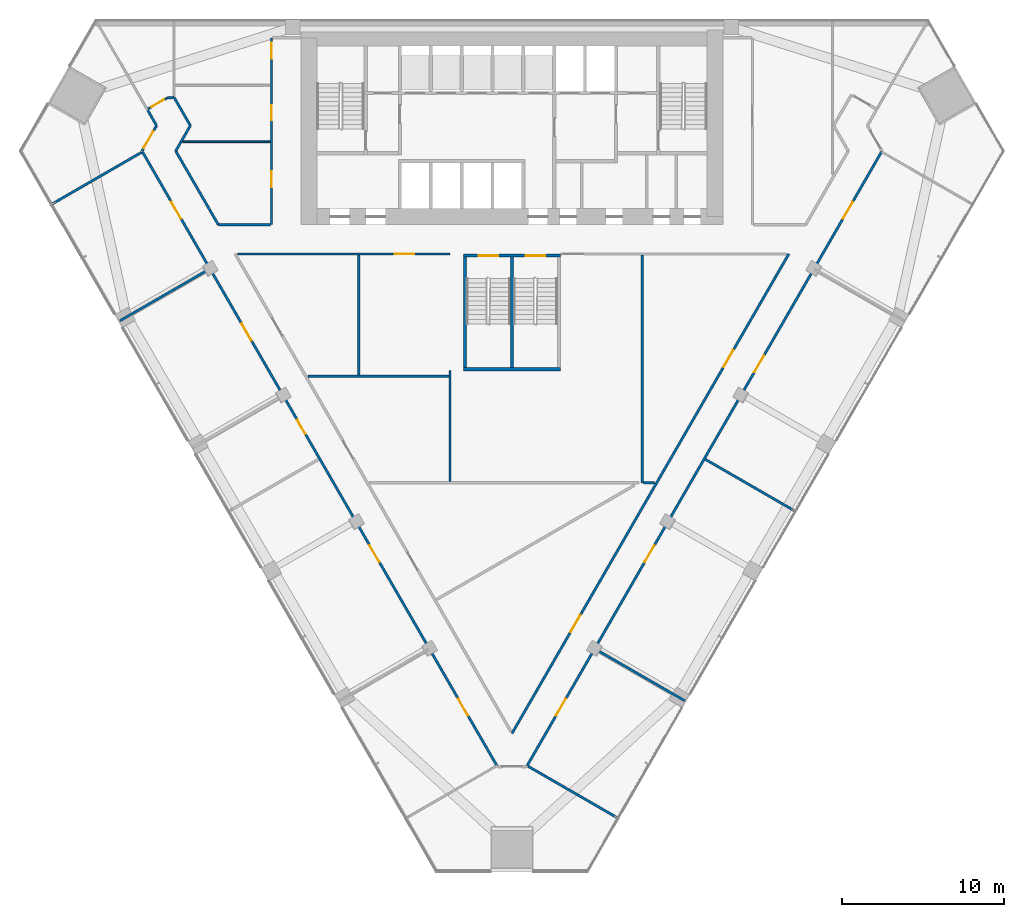
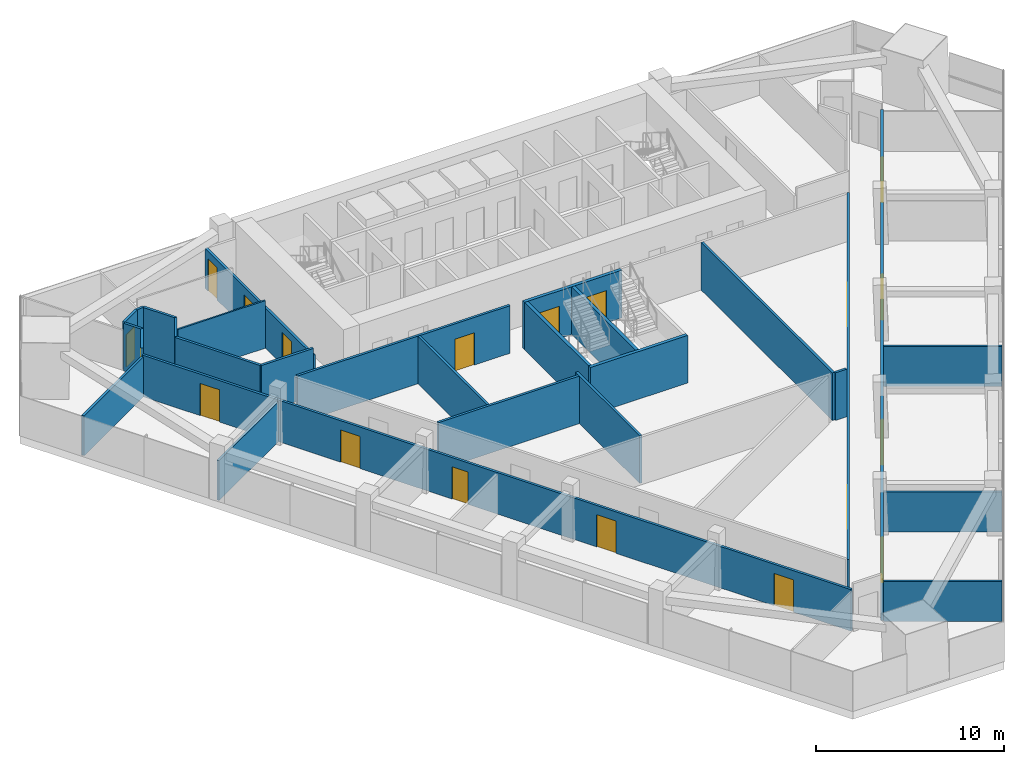
# One storey, part 9 of 13: 28 walls, 19 doors, 19 openings.
"""IFC4 building model written with IfcOpenShell, lengths in metres."""

from ifc_helpers import new_model, si_unit, direction, frame, frame_2d, origin, place, context, subcontext, project, spatial, rectangle, extrude, material, layer, layer_set, type_object, element, fill, save


model = new_model("IFC4")

# Units and contexts
model_context = context("Model", 3, precision=1e-05, world=origin(), true_north=direction((0.0, 1.0)))
body_context = subcontext(model_context, "Body", "Model", "MODEL_VIEW")
ifc_project = project(units=[si_unit("LENGTHUNIT", "METRE"), si_unit("AREAUNIT", "SQUARE_METRE"), si_unit("VOLUMEUNIT", "CUBIC_METRE"), si_unit("PLANEANGLEUNIT", "RADIAN"), si_unit("MASSUNIT", "GRAM", prefix="KILO")], contexts=[model_context])

# Site, building, storey
site_placement = place(None, origin())
site = spatial("IfcSite", under=ifc_project, at=site_placement, CompositionType="ELEMENT")
building_placement = place(site_placement, origin())
building = spatial("IfcBuilding", under=site, at=building_placement, Name="Altiplano Prism Tower", CompositionType="ELEMENT")
storey_placement = place(building_placement, frame((0.0, 0.0, 59.39990234375)))
storey = spatial("IfcBuildingStorey", under=building, at=storey_placement, Name="L14", CompositionType="ELEMENT", Elevation=59.39990234375)

# Walls
ifc_material_1 = material(Name="Plasterboard on steel stud", Category="steel")
ifc_layer_1 = layer(ifc_material_1, 0.10009765625)
ifc_layer_set_1 = layer_set([ifc_layer_1], Name="Plasterboard on steel stud")
wall_type_1 = type_object("IfcWallType", Name="Partition 100 wet", PredefinedType="PARTITIONING", material=ifc_layer_set_1)
wall_1_placement = place(storey_placement, frame((64.74609375, 97.5048828125, 0.0), z_axis=(0.0, 0.0, 1.0), x_axis=(1.0, 0.0, 0.0)))
element("IfcWall", 1, at=wall_1_placement, inside=storey, type_object=wall_type_1, Name="Partition P03 L14 029", PredefinedType="PARTITIONING", context=body_context, shape_type="SweptSolid", body=[
    extrude(rectangle(XDim=5.37890625, YDim=0.10009765625, at=frame_2d((2.689453125, 0.0))), origin(), (0.0, 0.0, 1.0), 3.10009765625),
])
ifc_layer_2 = layer(ifc_material_1, 0.14990234375)
ifc_layer_set_2 = layer_set([ifc_layer_2], Name="Plasterboard on steel stud")
wall_type_2 = type_object("IfcWallType", Name="Partition 150 corridor", PredefinedType="PARTITIONING", material=ifc_layer_set_2)
wall_2_placement = place(storey_placement, frame((64.203857421875, 100.236572265625, 0.0), z_axis=(0.0, 0.0, 1.0), x_axis=(-0.996354621389, -0.085308079548, 0.0)))
element("IfcWall", 2, at=wall_2_placement, inside=storey, type_object=wall_type_2, Name="Partition P06 L14 001", PredefinedType="PARTITIONING", context=body_context, shape_type="SweptSolid", body=[
    extrude(rectangle(XDim=0.446533203125, YDim=0.14990234375, at=frame_2d((0.22314453125, 0.0))), origin(), (0.0, 0.0, 1.0), 3.10009765625),
])

# Wall, opening, door
wall_3_placement = place(storey_placement, frame((63.759033203125, 100.198486328125, 0.0), z_axis=(0.0, 0.0, 1.0), x_axis=(-0.865947074616, -0.500135645565, 0.0)))
wall_3 = element("IfcWall", 3, at=wall_3_placement, inside=storey, type_object=wall_type_2, Name="Partition P06 L14 002", PredefinedType="PARTITIONING", context=body_context, shape_type="SweptSolid", body=[
    extrude(rectangle(XDim=1.346923828125, YDim=0.14990234375, at=frame_2d((0.67333984375, 0.0))), origin(), (0.0, 0.0, 1.0), 3.10009765625),
])
opening_1_placement = place(wall_3_placement, frame((0.199951171875, 0.0, 0.0)))
opening_1 = element("IfcOpeningElement", 4, at=opening_1_placement, cuts=wall_3, Name="Opening D0571", PredefinedType="OPENING", context=body_context, shape_type="SweptSolid", body=[
    extrude(rectangle(XDim=0.89990234375, YDim=2.10009765625, at=frame_2d((0.449951171875, 1.050048828125))), frame((0.0, 0.08544921875, 0.0), z_axis=(0.0, -1.0, 0.0), x_axis=(1.0, 0.0, 0.0)), (0.0, 0.0, 1.0), 0.1708984375),
])
ifc_material_2 = material(Name="Timber", Category="wood")
door_type_1 = type_object("IfcDoorType", Name="Toilet door 900 x 2100", OperationType="NOTDEFINED", PredefinedType="NOTDEFINED", material=ifc_material_2)
door_1_placement = place(opening_1_placement, origin())
door_1 = element("IfcDoor", 5, at=door_1_placement, inside=storey, type_object=door_type_1, Name="Door D0571", OperationType="SINGLE_SWING_LEFT", OverallHeight=2.10009765625, OverallWidth=0.89990234375, PredefinedType="NOTDEFINED", context=body_context, shape_type="SweptSolid", body=[
    extrude(rectangle(XDim=0.89990234375, YDim=2.10009765625, at=frame_2d((0.449951171875, 1.050048828125))), frame((0.0, 0.02490234375, 0.0), z_axis=(0.0, -1.0, 0.0), x_axis=(1.0, 0.0, 0.0)), (0.0, 0.0, 1.0), 0.050048828125),
])
fill(opening_1, door_1)

# Walls
wall_4_placement = place(storey_placement, frame((64.304443359375, 96.939697265625, 0.0), z_axis=(0.0, 0.0, 1.0), x_axis=(0.500015694476, 0.866016342385, 0.0)))
element("IfcWall", 6, at=wall_4_placement, inside=storey, type_object=wall_type_2, Name="Partition P06 L14 003", PredefinedType="PARTITIONING", context=body_context, shape_type="SweptSolid", body=[
    extrude(rectangle(XDim=1.8017578125, YDim=0.14990234375, at=frame_2d((0.90087890625, 0.0))), origin(), (0.0, 0.0, 1.0), 3.10009765625),
])
wall_5_placement = place(storey_placement, frame((65.205322265625, 98.5, 0.0), z_axis=(0.0, 0.0, 1.0), x_axis=(-0.499571326958, 0.866272756862, 0.0)))
element("IfcWall", 7, at=wall_5_placement, inside=storey, type_object=wall_type_2, Name="Partition P06 L14 004", PredefinedType="PARTITIONING", context=body_context, shape_type="SweptSolid", body=[
    extrude(rectangle(XDim=2.004638671875, YDim=0.14990234375, at=frame_2d((1.00244140625, 0.0))), origin(), (0.0, 0.0, 1.0), 3.10009765625),
])

# Wall, openings, doors
wall_6_placement = place(storey_placement, frame((70.199951171875, 103.89990234375, 0.0), z_axis=(0.0, 0.0, 1.0), x_axis=(0.0, -1.0, 0.0)))
wall_6 = element("IfcWall", 8, at=wall_6_placement, inside=storey, type_object=wall_type_2, Name="Partition P06 L14 005", PredefinedType="PARTITIONING", context=body_context, shape_type="SweptSolid", body=[
    extrude(rectangle(XDim=11.5, YDim=0.14990234375, at=frame_2d((5.75, 0.0))), origin(), (0.0, 0.0, 1.0), 2.60009765625),
])
opening_2_placement = place(wall_6_placement, frame((4.155029296875, 0.0, 0.0)))
opening_2 = element("IfcOpeningElement", 9, at=opening_2_placement, cuts=wall_6, Name="Opening D0572", PredefinedType="OPENING", context=body_context, shape_type="SweptSolid", body=[
    extrude(rectangle(XDim=0.89990234375, YDim=2.10009765625, at=frame_2d((0.449951171875, 1.050048828125))), frame((0.0, 0.08544921875, 0.0), z_axis=(0.0, -1.0, 0.0), x_axis=(1.0, 0.0, 0.0)), (0.0, 0.0, 1.0), 0.1708984375),
])
opening_3_placement = place(wall_6_placement, frame((8.199951171875, 0.0, 0.0)))
opening_3 = element("IfcOpeningElement", 10, at=opening_3_placement, cuts=wall_6, Name="Opening D0573", PredefinedType="OPENING", context=body_context, shape_type="SweptSolid", body=[
    extrude(rectangle(XDim=1.0, YDim=2.10009765625, at=frame_2d((0.5, 1.050048828125))), frame((0.0, 0.08544921875, 0.0), z_axis=(0.0, -1.0, 0.0), x_axis=(1.0, 0.0, 0.0)), (0.0, 0.0, 1.0), 0.1708984375),
])
opening_4_placement = place(wall_6_placement, frame((0.297119140625, 0.0, 0.0)))
opening_4 = element("IfcOpeningElement", 11, at=opening_4_placement, cuts=wall_6, Name="Opening D0574", PredefinedType="OPENING", context=body_context, shape_type="SweptSolid", body=[
    extrude(rectangle(XDim=1.0, YDim=2.10009765625, at=frame_2d((0.5, 1.050048828125))), frame((0.0, 0.08544921875, 0.0), z_axis=(0.0, -1.0, 0.0), x_axis=(1.0, 0.0, 0.0)), (0.0, 0.0, 1.0), 0.1708984375),
])
door_type_2 = type_object("IfcDoorType", Name="Store door 1000 x 2100", OperationType="NOTDEFINED", PredefinedType="NOTDEFINED", material=ifc_material_2)
door_2_placement = place(opening_3_placement, origin())
door_2 = element("IfcDoor", 12, at=door_2_placement, inside=storey, type_object=door_type_2, Name="Door D0573", OperationType="SINGLE_SWING_LEFT", OverallHeight=2.10009765625, OverallWidth=1.0, PredefinedType="NOTDEFINED", context=body_context, shape_type="SweptSolid", body=[
    extrude(rectangle(XDim=1.0, YDim=2.10009765625, at=frame_2d((0.5, 1.050048828125))), frame((0.0, 0.02490234375, 0.0), z_axis=(0.0, -1.0, 0.0), x_axis=(1.0, 0.0, 0.0)), (0.0, 0.0, 1.0), 0.050048828125),
])
fill(opening_3, door_2)
door_3_placement = place(opening_4_placement, origin())
door_3 = element("IfcDoor", 13, at=door_3_placement, inside=storey, type_object=door_type_2, Name="Door D0574", OperationType="SINGLE_SWING_LEFT", OverallHeight=2.10009765625, OverallWidth=1.0, PredefinedType="NOTDEFINED", context=body_context, shape_type="SweptSolid", body=[
    extrude(rectangle(XDim=1.0, YDim=2.10009765625, at=frame_2d((0.5, 1.050048828125))), frame((0.0, 0.02490234375, 0.0), z_axis=(0.0, -1.0, 0.0), x_axis=(1.0, 0.0, 0.0)), (0.0, 0.0, 1.0), 0.050048828125),
])
fill(opening_4, door_3)
door_4_placement = place(opening_2_placement, origin())
door_4 = element("IfcDoor", 14, at=door_4_placement, inside=storey, type_object=door_type_1, Name="Door D0572", OperationType="SINGLE_SWING_LEFT", OverallHeight=2.10009765625, OverallWidth=0.89990234375, PredefinedType="NOTDEFINED", context=body_context, shape_type="SweptSolid", body=[
    extrude(rectangle(XDim=0.89990234375, YDim=2.10009765625, at=frame_2d((0.449951171875, 1.050048828125))), frame((0.0, 0.02490234375, 0.0), z_axis=(0.0, -1.0, 0.0), x_axis=(1.0, 0.0, 0.0)), (0.0, 0.0, 1.0), 0.050048828125),
])
fill(opening_2, door_4)

# Walls
wall_7_placement = place(storey_placement, frame((70.125, 92.39990234375, 0.0), z_axis=(0.0, 0.0, 1.0), x_axis=(-1.0, 0.0, 0.0)))
element("IfcWall", 15, at=wall_7_placement, inside=storey, type_object=wall_type_2, Name="Partition P06 L14 006", PredefinedType="PARTITIONING", context=body_context, shape_type="SweptSolid", body=[
    extrude(rectangle(XDim=3.19970703125, YDim=0.14990234375, at=frame_2d((1.599853515625, 0.0))), origin(), (0.0, 0.0, 1.0), 3.10009765625),
])
wall_8_placement = place(storey_placement, frame((66.92529296875, 92.39990234375, 0.0), z_axis=(0.0, 0.0, 1.0), x_axis=(-0.499971068387, 0.866042106815, 0.0)))
element("IfcWall", 16, at=wall_8_placement, inside=storey, type_object=wall_type_2, Name="Partition P06 L14 007", PredefinedType="PARTITIONING", context=body_context, shape_type="SweptSolid", body=[
    extrude(rectangle(XDim=5.241943359375, YDim=0.14990234375, at=frame_2d((2.62109375, 0.0))), origin(), (0.0, 0.0, 1.0), 3.10009765625),
])
wall_9_placement = place(storey_placement, frame((62.5869140625, 99.43505859375, 0.0), z_axis=(0.0, 0.0, 1.0), x_axis=(0.499957341738, -0.866050031143, 0.0)))
element("IfcWall", 17, at=wall_9_placement, inside=storey, type_object=wall_type_2, Name="Partition P06 L14 009", PredefinedType="PARTITIONING", context=body_context, shape_type="SweptSolid", body=[
    extrude(rectangle(XDim=1.07958984375, YDim=0.14990234375, at=frame_2d((0.539794921875, 0.0))), origin(), (0.0, 0.0, 1.0), 3.10009765625),
])

# Wall, opening, door
wall_10_placement = place(storey_placement, frame((63.126708984375, 98.5, 0.0), z_axis=(0.0, 0.0, 1.0), x_axis=(-0.500015694476, -0.866016342385, 0.0)))
wall_10 = element("IfcWall", 18, at=wall_10_placement, inside=storey, type_object=wall_type_2, Name="Partition P06 L14 010", PredefinedType="PARTITIONING", context=body_context, shape_type="SweptSolid", body=[
    extrude(rectangle(XDim=1.8017578125, YDim=0.14990234375, at=frame_2d((0.90087890625, 0.0))), origin(), (0.0, 0.0, 1.0), 3.10009765625),
])
opening_5_placement = place(wall_10_placement, frame((0.402099609375, 0.0, 0.0)))
opening_5 = element("IfcOpeningElement", 19, at=opening_5_placement, cuts=wall_10, Name="Opening D0575", PredefinedType="OPENING", context=body_context, shape_type="SweptSolid", body=[
    extrude(rectangle(XDim=1.199951171875, YDim=2.10009765625, at=frame_2d((0.60009765625, 1.050048828125))), frame((0.0, 0.08544921875, 0.0), z_axis=(0.0, -1.0, 0.0), x_axis=(1.0, 0.0, 0.0)), (0.0, 0.0, 1.0), 0.1708984375),
])
door_type_3 = type_object("IfcDoorType", Name="Shared room door 1200 x 2100", OperationType="NOTDEFINED", PredefinedType="NOTDEFINED", material=ifc_material_2)
door_5_placement = place(opening_5_placement, origin())
door_5 = element("IfcDoor", 20, at=door_5_placement, inside=storey, type_object=door_type_3, Name="Door D0575", OperationType="SINGLE_SWING_RIGHT", OverallHeight=2.10009765625, OverallWidth=1.199951171875, PredefinedType="NOTDEFINED", context=body_context, shape_type="SweptSolid", body=[
    extrude(rectangle(XDim=1.199951171875, YDim=2.10009765625, at=frame_2d((0.60009765625, 1.050048828125))), frame((0.0, 0.02490234375, 0.0), z_axis=(0.0, -1.0, 0.0), x_axis=(1.0, 0.0, 0.0)), (0.0, 0.0, 1.0), 0.050048828125),
])
fill(opening_5, door_5)

# Wall, openings, doors
wall_11_placement = place(storey_placement, frame((62.256103515625, 96.887451171875, 0.0), z_axis=(0.0, 0.0, 1.0), x_axis=(0.500001966348, -0.86602426851, 0.0)))
wall_11 = element("IfcWall", 21, at=wall_11_placement, inside=storey, type_object=wall_type_2, Name="Partition P06 L14 011", PredefinedType="PARTITIONING", context=body_context, shape_type="SweptSolid", body=[
    extrude(rectangle(XDim=43.625732421875, YDim=0.14990234375, at=frame_2d((21.81298828125, 0.0))), origin(), (0.0, 0.0, 1.0), 2.7001953125),
])
opening_6_placement = place(wall_11_placement, frame((3.555908203125, 0.0, 0.0)))
opening_6 = element("IfcOpeningElement", 22, at=opening_6_placement, cuts=wall_11, Name="Opening D0576", PredefinedType="OPENING", context=body_context, shape_type="SweptSolid", body=[
    extrude(rectangle(XDim=1.199951171875, YDim=2.10009765625, at=frame_2d((0.60009765625, 1.050048828125))), frame((0.0, 0.08544921875, 0.0), z_axis=(0.0, -1.0, 0.0), x_axis=(1.0, 0.0, 0.0)), (0.0, 0.0, 1.0), 0.1708984375),
])
opening_7_placement = place(wall_11_placement, frame((12.212890625, 0.0, 0.0)))
opening_7 = element("IfcOpeningElement", 23, at=opening_7_placement, cuts=wall_11, Name="Opening D0577", PredefinedType="OPENING", context=body_context, shape_type="SweptSolid", body=[
    extrude(rectangle(XDim=1.199951171875, YDim=2.10009765625, at=frame_2d((0.60009765625, 1.050048828125))), frame((0.0, 0.08544921875, 0.0), z_axis=(0.0, -1.0, 0.0), x_axis=(1.0, 0.0, 0.0)), (0.0, 0.0, 1.0), 0.1708984375),
])
opening_8_placement = place(wall_11_placement, frame((19.06298828125, 0.0, 0.0)))
opening_8 = element("IfcOpeningElement", 24, at=opening_8_placement, cuts=wall_11, Name="Opening D0578", PredefinedType="OPENING", context=body_context, shape_type="SweptSolid", body=[
    extrude(rectangle(XDim=1.0, YDim=2.10009765625, at=frame_2d((0.5, 1.050048828125))), frame((0.0, 0.08544921875, 0.0), z_axis=(0.0, -1.0, 0.0), x_axis=(1.0, 0.0, 0.0)), (0.0, 0.0, 1.0), 0.1708984375),
])
opening_9_placement = place(wall_11_placement, frame((27.962890625, 0.0, 0.0)))
opening_9 = element("IfcOpeningElement", 25, at=opening_9_placement, cuts=wall_11, Name="Opening D0579", PredefinedType="OPENING", context=body_context, shape_type="SweptSolid", body=[
    extrude(rectangle(XDim=1.199951171875, YDim=2.10009765625, at=frame_2d((0.60009765625, 1.050048828125))), frame((0.0, 0.08544921875, 0.0), z_axis=(0.0, -1.0, 0.0), x_axis=(1.0, 0.0, 0.0)), (0.0, 0.0, 1.0), 0.1708984375),
])
opening_10_placement = place(wall_11_placement, frame((38.868896484375, 0.0, 0.0)))
opening_10 = element("IfcOpeningElement", 26, at=opening_10_placement, cuts=wall_11, Name="Opening D0580", PredefinedType="OPENING", context=body_context, shape_type="SweptSolid", body=[
    extrude(rectangle(XDim=1.199951171875, YDim=2.10009765625, at=frame_2d((0.60009765625, 1.050048828125))), frame((0.0, 0.08544921875, 0.0), z_axis=(0.0, -1.0, 0.0), x_axis=(1.0, 0.0, 0.0)), (0.0, 0.0, 1.0), 0.1708984375),
])
door_type_4 = type_object("IfcDoorType", Name="Room door 1000 x 2100", OperationType="NOTDEFINED", PredefinedType="NOTDEFINED", material=ifc_material_2)
door_6_placement = place(opening_8_placement, origin())
door_6 = element("IfcDoor", 27, at=door_6_placement, inside=storey, type_object=door_type_4, Name="Door D0578", OperationType="SINGLE_SWING_RIGHT", OverallHeight=2.10009765625, OverallWidth=1.0, PredefinedType="NOTDEFINED", context=body_context, shape_type="SweptSolid", body=[
    extrude(rectangle(XDim=1.0, YDim=2.10009765625, at=frame_2d((0.5, 1.050048828125))), frame((0.0, 0.02490234375, 0.0), z_axis=(0.0, -1.0, 0.0), x_axis=(1.0, 0.0, 0.0)), (0.0, 0.0, 1.0), 0.050048828125),
])
fill(opening_8, door_6)
door_7_placement = place(opening_6_placement, origin())
door_7 = element("IfcDoor", 28, at=door_7_placement, inside=storey, type_object=door_type_3, Name="Door D0576", OperationType="SINGLE_SWING_RIGHT", OverallHeight=2.10009765625, OverallWidth=1.199951171875, PredefinedType="NOTDEFINED", context=body_context, shape_type="SweptSolid", body=[
    extrude(rectangle(XDim=1.199951171875, YDim=2.10009765625, at=frame_2d((0.60009765625, 1.050048828125))), frame((0.0, 0.02490234375, 0.0), z_axis=(0.0, -1.0, 0.0), x_axis=(1.0, 0.0, 0.0)), (0.0, 0.0, 1.0), 0.050048828125),
])
fill(opening_6, door_7)
door_8_placement = place(opening_7_placement, origin())
door_8 = element("IfcDoor", 29, at=door_8_placement, inside=storey, type_object=door_type_3, Name="Door D0577", OperationType="SINGLE_SWING_LEFT", OverallHeight=2.10009765625, OverallWidth=1.199951171875, PredefinedType="NOTDEFINED", context=body_context, shape_type="SweptSolid", body=[
    extrude(rectangle(XDim=1.199951171875, YDim=2.10009765625, at=frame_2d((0.60009765625, 1.050048828125))), frame((0.0, 0.02490234375, 0.0), z_axis=(0.0, -1.0, 0.0), x_axis=(1.0, 0.0, 0.0)), (0.0, 0.0, 1.0), 0.050048828125),
])
fill(opening_7, door_8)
door_9_placement = place(opening_9_placement, origin())
door_9 = element("IfcDoor", 30, at=door_9_placement, inside=storey, type_object=door_type_3, Name="Door D0579", OperationType="SINGLE_SWING_RIGHT", OverallHeight=2.10009765625, OverallWidth=1.199951171875, PredefinedType="NOTDEFINED", context=body_context, shape_type="SweptSolid", body=[
    extrude(rectangle(XDim=1.199951171875, YDim=2.10009765625, at=frame_2d((0.60009765625, 1.050048828125))), frame((0.0, 0.02490234375, 0.0), z_axis=(0.0, -1.0, 0.0), x_axis=(1.0, 0.0, 0.0)), (0.0, 0.0, 1.0), 0.050048828125),
])
fill(opening_9, door_9)
door_10_placement = place(opening_10_placement, origin())
door_10 = element("IfcDoor", 31, at=door_10_placement, inside=storey, type_object=door_type_3, Name="Door D0580", OperationType="SINGLE_SWING_LEFT", OverallHeight=2.10009765625, OverallWidth=1.199951171875, PredefinedType="NOTDEFINED", context=body_context, shape_type="SweptSolid", body=[
    extrude(rectangle(XDim=1.199951171875, YDim=2.10009765625, at=frame_2d((0.60009765625, 1.050048828125))), frame((0.0, 0.02490234375, 0.0), z_axis=(0.0, -1.0, 0.0), x_axis=(1.0, 0.0, 0.0)), (0.0, 0.0, 1.0), 0.050048828125),
])
fill(opening_10, door_10)

wall_12_placement = place(storey_placement, frame((85.930908203125, 59.106201171875, 0.0), z_axis=(0.0, 0.0, 1.0), x_axis=(0.499999543107, 0.866025667572, 0.0)))
wall_12 = element("IfcWall", 32, at=wall_12_placement, inside=storey, type_object=wall_type_2, Name="Partition P06 L14 013", PredefinedType="PARTITIONING", context=body_context, shape_type="SweptSolid", body=[
    extrude(rectangle(XDim=43.6259765625, YDim=0.14990234375, at=frame_2d((21.81298828125, 0.0))), origin(), (0.0, 0.0, 1.0), 2.7001953125),
])
opening_11_placement = place(wall_12_placement, frame((3.555908203125, 0.0, 0.0)))
opening_11 = element("IfcOpeningElement", 33, at=opening_11_placement, cuts=wall_12, Name="Opening D0582", PredefinedType="OPENING", context=body_context, shape_type="SweptSolid", body=[
    extrude(rectangle(XDim=1.199951171875, YDim=2.10009765625, at=frame_2d((0.60009765625, 1.050048828125))), frame((0.0, 0.08544921875, 0.0), z_axis=(0.0, -1.0, 0.0), x_axis=(1.0, 0.0, 0.0)), (0.0, 0.0, 1.0), 0.1708984375),
])
opening_12_placement = place(wall_12_placement, frame((14.462890625, 0.0, 0.0)))
opening_12 = element("IfcOpeningElement", 34, at=opening_12_placement, cuts=wall_12, Name="Opening D0583", PredefinedType="OPENING", context=body_context, shape_type="SweptSolid", body=[
    extrude(rectangle(XDim=1.199951171875, YDim=2.10009765625, at=frame_2d((0.60009765625, 1.050048828125))), frame((0.0, 0.08544921875, 0.0), z_axis=(0.0, -1.0, 0.0), x_axis=(1.0, 0.0, 0.0)), (0.0, 0.0, 1.0), 0.1708984375),
])
opening_13_placement = place(wall_12_placement, frame((27.962890625, 0.0, 0.0)))
opening_13 = element("IfcOpeningElement", 35, at=opening_13_placement, cuts=wall_12, Name="Opening D0584", PredefinedType="OPENING", context=body_context, shape_type="SweptSolid", body=[
    extrude(rectangle(XDim=1.199951171875, YDim=2.10009765625, at=frame_2d((0.60009765625, 1.050048828125))), frame((0.0, 0.08544921875, 0.0), z_axis=(0.0, -1.0, 0.0), x_axis=(1.0, 0.0, 0.0)), (0.0, 0.0, 1.0), 0.1708984375),
])
opening_14_placement = place(wall_12_placement, frame((38.868896484375, 0.0, 0.0)))
opening_14 = element("IfcOpeningElement", 36, at=opening_14_placement, cuts=wall_12, Name="Opening D0585", PredefinedType="OPENING", context=body_context, shape_type="SweptSolid", body=[
    extrude(rectangle(XDim=1.199951171875, YDim=2.10009765625, at=frame_2d((0.60009765625, 1.050048828125))), frame((0.0, 0.08544921875, 0.0), z_axis=(0.0, -1.0, 0.0), x_axis=(1.0, 0.0, 0.0)), (0.0, 0.0, 1.0), 0.1708984375),
])
door_11_placement = place(opening_11_placement, origin())
door_11 = element("IfcDoor", 37, at=door_11_placement, inside=storey, type_object=door_type_3, Name="Door D0582", OperationType="SINGLE_SWING_RIGHT", OverallHeight=2.10009765625, OverallWidth=1.199951171875, PredefinedType="NOTDEFINED", context=body_context, shape_type="SweptSolid", body=[
    extrude(rectangle(XDim=1.199951171875, YDim=2.10009765625, at=frame_2d((0.60009765625, 1.050048828125))), frame((0.0, 0.02490234375, 0.0), z_axis=(0.0, -1.0, 0.0), x_axis=(1.0, 0.0, 0.0)), (0.0, 0.0, 1.0), 0.050048828125),
])
fill(opening_11, door_11)
door_12_placement = place(opening_12_placement, origin())
door_12 = element("IfcDoor", 38, at=door_12_placement, inside=storey, type_object=door_type_3, Name="Door D0583", OperationType="SINGLE_SWING_RIGHT", OverallHeight=2.10009765625, OverallWidth=1.199951171875, PredefinedType="NOTDEFINED", context=body_context, shape_type="SweptSolid", body=[
    extrude(rectangle(XDim=1.199951171875, YDim=2.10009765625, at=frame_2d((0.60009765625, 1.050048828125))), frame((0.0, 0.02490234375, 0.0), z_axis=(0.0, -1.0, 0.0), x_axis=(1.0, 0.0, 0.0)), (0.0, 0.0, 1.0), 0.050048828125),
])
fill(opening_12, door_12)
door_13_placement = place(opening_13_placement, origin())
door_13 = element("IfcDoor", 39, at=door_13_placement, inside=storey, type_object=door_type_3, Name="Door D0584", OperationType="SINGLE_SWING_RIGHT", OverallHeight=2.10009765625, OverallWidth=1.199951171875, PredefinedType="NOTDEFINED", context=body_context, shape_type="SweptSolid", body=[
    extrude(rectangle(XDim=1.199951171875, YDim=2.10009765625, at=frame_2d((0.60009765625, 1.050048828125))), frame((0.0, 0.02490234375, 0.0), z_axis=(0.0, -1.0, 0.0), x_axis=(1.0, 0.0, 0.0)), (0.0, 0.0, 1.0), 0.050048828125),
])
fill(opening_13, door_13)
door_14_placement = place(opening_14_placement, origin())
door_14 = element("IfcDoor", 40, at=door_14_placement, inside=storey, type_object=door_type_3, Name="Door D0585", OperationType="SINGLE_SWING_RIGHT", OverallHeight=2.10009765625, OverallWidth=1.199951171875, PredefinedType="NOTDEFINED", context=body_context, shape_type="SweptSolid", body=[
    extrude(rectangle(XDim=1.199951171875, YDim=2.10009765625, at=frame_2d((0.60009765625, 1.050048828125))), frame((0.0, 0.02490234375, 0.0), z_axis=(0.0, -1.0, 0.0), x_axis=(1.0, 0.0, 0.0)), (0.0, 0.0, 1.0), 0.050048828125),
])
fill(opening_14, door_14)

wall_13_placement = place(storey_placement, frame((102.035400390625, 90.60009765625, 0.0), z_axis=(0.0, 0.0, 1.0), x_axis=(-0.49999785657, -0.866026641291, 0.0)))
wall_13 = element("IfcWall", 41, at=wall_13_placement, inside=storey, type_object=wall_type_2, Name="Partition P06 L14 016", PredefinedType="PARTITIONING", context=body_context, shape_type="SweptSolid", body=[
    extrude(rectangle(XDim=34.071044921875, YDim=0.14990234375, at=frame_2d((17.03564453125, 0.0))), origin(), (0.0, 0.0, 1.0), 3.10009765625),
])
opening_15_placement = place(wall_13_placement, frame((25.658935546875, 0.0, 0.0)))
opening_15 = element("IfcOpeningElement", 42, at=opening_15_placement, cuts=wall_13, Name="Opening D0587", PredefinedType="OPENING", context=body_context, shape_type="SweptSolid", body=[
    extrude(rectangle(XDim=1.199951171875, YDim=2.10009765625, at=frame_2d((0.60009765625, 1.050048828125))), frame((0.0, 0.08544921875, 0.0), z_axis=(0.0, -1.0, 0.0), x_axis=(1.0, 0.0, 0.0)), (0.0, 0.0, 1.0), 0.1708984375),
])
opening_16_placement = place(wall_13_placement, frame((6.8291015625, 0.0, 0.0)))
opening_16 = element("IfcOpeningElement", 43, at=opening_16_placement, cuts=wall_13, Name="Opening D0588", PredefinedType="OPENING", context=body_context, shape_type="SweptSolid", body=[
    extrude(rectangle(XDim=1.199951171875, YDim=2.10009765625, at=frame_2d((0.60009765625, 1.050048828125))), frame((0.0, 0.08544921875, 0.0), z_axis=(0.0, -1.0, 0.0), x_axis=(1.0, 0.0, 0.0)), (0.0, 0.0, 1.0), 0.1708984375),
])
door_15_placement = place(opening_15_placement, origin())
door_15 = element("IfcDoor", 44, at=door_15_placement, inside=storey, type_object=door_type_3, Name="Door D0587", OperationType="SINGLE_SWING_LEFT", OverallHeight=2.10009765625, OverallWidth=1.199951171875, PredefinedType="NOTDEFINED", context=body_context, shape_type="SweptSolid", body=[
    extrude(rectangle(XDim=1.199951171875, YDim=2.10009765625, at=frame_2d((0.60009765625, 1.050048828125))), frame((0.0, 0.02490234375, 0.0), z_axis=(0.0, -1.0, 0.0), x_axis=(1.0, 0.0, 0.0)), (0.0, 0.0, 1.0), 0.050048828125),
])
fill(opening_15, door_15)
door_16_placement = place(opening_16_placement, origin())
door_16 = element("IfcDoor", 45, at=door_16_placement, inside=storey, type_object=door_type_3, Name="Door D0588", OperationType="SINGLE_SWING_LEFT", OverallHeight=2.10009765625, OverallWidth=1.199951171875, PredefinedType="NOTDEFINED", context=body_context, shape_type="SweptSolid", body=[
    extrude(rectangle(XDim=1.199951171875, YDim=2.10009765625, at=frame_2d((0.60009765625, 1.050048828125))), frame((0.0, 0.02490234375, 0.0), z_axis=(0.0, -1.0, 0.0), x_axis=(1.0, 0.0, 0.0)), (0.0, 0.0, 1.0), 0.050048828125),
])
fill(opening_16, door_16)

# Wall, opening, door
wall_14_placement = place(storey_placement, frame((68.094482421875, 90.60009765625, 0.0), z_axis=(0.0, 0.0, 1.0), x_axis=(0.999999997216, -7.4615729e-05, 0.0)))
wall_14 = element("IfcWall", 46, at=wall_14_placement, inside=storey, type_object=wall_type_2, Name="Partition P06 L14 023", PredefinedType="PARTITIONING", context=body_context, shape_type="SweptSolid", body=[
    extrude(rectangle(XDim=13.087890625, YDim=0.14990234375, at=frame_2d((6.5439453125, 0.0))), origin(), (0.0, 0.0, 1.0), 3.10009765625),
])
opening_17_placement = place(wall_14_placement, frame((9.68603515625, 0.0, 0.0)))
opening_17 = element("IfcOpeningElement", 47, at=opening_17_placement, cuts=wall_14, Name="Opening D0593", PredefinedType="OPENING", context=body_context, shape_type="SweptSolid", body=[
    extrude(rectangle(XDim=1.199951171875, YDim=2.10009765625, at=frame_2d((0.60009765625, 1.050048828125))), frame((0.0, 0.08544921875, 0.0), z_axis=(0.0, -1.0, 0.0), x_axis=(1.0, 0.0, 0.0)), (0.0, 0.0, 1.0), 0.1708984375),
])
door_17_placement = place(opening_17_placement, origin())
door_17 = element("IfcDoor", 48, at=door_17_placement, inside=storey, type_object=door_type_3, Name="Door D0593", OperationType="SINGLE_SWING_RIGHT", OverallHeight=2.10009765625, OverallWidth=1.199951171875, PredefinedType="NOTDEFINED", context=body_context, shape_type="SweptSolid", body=[
    extrude(rectangle(XDim=1.199951171875, YDim=2.10009765625, at=frame_2d((0.60009765625, 1.050048828125))), frame((0.0, 0.02490234375, 0.0), z_axis=(0.0, -1.0, 0.0), x_axis=(1.0, 0.0, 0.0)), (0.0, 0.0, 1.0), 0.050048828125),
])
fill(opening_17, door_17)

# Walls
ifc_layer_3 = layer(ifc_material_1, 0.14990234375)
ifc_layer_set_3 = layer_set([ifc_layer_3], Name="Plasterboard on steel stud")
wall_type_3 = type_object("IfcWallType", Name="Partition 150 party", PredefinedType="PARTITIONING", material=ifc_layer_set_3)
for number, where, z_axis, x_axis, name in (
    (49, (56.71337890625, 93.6875, 0.0), (0.0, 0.0, 1.0), (0.866025537322, 0.499999768706, 0.0), "Partition P01 L14 031"),
    (50, (60.869873046875, 86.48828125, 0.0), (0.0, 0.0, 1.0), (0.866025537322, 0.499999768706, 0.0), "Partition P01 L14 032"),
    (51, (91.4736328125, 55.90625, 0.0), (0.0, 0.0, 1.0), (-0.866025537322, 0.499999768706, 0.0), "Partition P01 L14 037"),
    (52, (95.630126953125, 63.10546875, 0.0), (0.0, 0.0, 1.0), (-0.866025537322, 0.499999768706, 0.0), "Partition P01 L14 038"),
    (53, (102.380126953125, 74.796875, 0.0), (0.0, 0.0, 1.0), (-0.866025537322, 0.499999768706, 0.0), "Partition P01 L14 039"),
):
    element("IfcWall", number, at=place(storey_placement, frame(where, z_axis=z_axis, x_axis=x_axis)), inside=storey, type_object=wall_type_3, Name=name, PredefinedType="PARTITIONING", context=body_context, shape_type="SweptSolid", body=[
        extrude(rectangle(XDim=6.3251953125, YDim=0.14990234375, at=frame_2d((3.16259765625, 0.0))), origin(), (0.0, 0.0, 1.0), 2.60009765625),
    ])
wall_15_placement = place(storey_placement, frame((93.773193359375, 76.514404296875, 0.0), z_axis=(0.0, 0.0, 1.0), x_axis=(-1.0, 0.0, 0.0)))
element("IfcWall", 54, at=wall_15_placement, inside=storey, type_object=wall_type_3, Name="Partition P01 L14 043", PredefinedType="PARTITIONING", context=body_context, shape_type="SweptSolid", body=[
    extrude(rectangle(XDim=0.691650390625, YDim=0.14990234375, at=frame_2d((0.345703125, 0.0))), origin(), (0.0, 0.0, 1.0), 3.10009765625),
])
wall_16_placement = place(storey_placement, frame((93.006591796875, 90.5244140625, 0.0), z_axis=(0.0, 0.0, 1.0), x_axis=(0.0, -1.0, 0.0)))
element("IfcWall", 55, at=wall_16_placement, inside=storey, type_object=wall_type_3, Name="Partition P01 L14 045", PredefinedType="PARTITIONING", context=body_context, shape_type="SweptSolid", body=[
    extrude(rectangle(XDim=14.010009765625, YDim=0.14990234375, at=frame_2d((7.0048828125, 0.0))), origin(), (0.0, 0.0, 1.0), 3.10009765625),
])
wall_17_placement = place(storey_placement, frame((81.182373046875, 83.419921875, 0.0), z_axis=(0.0, 0.0, 1.0), x_axis=(0.0, -1.0, 0.0)))
element("IfcWall", 56, at=wall_17_placement, inside=storey, type_object=wall_type_3, Name="Partition P01 L14 048", PredefinedType="PARTITIONING", context=body_context, shape_type="SweptSolid", body=[
    extrude(rectangle(XDim=6.83056640625, YDim=0.14990234375, at=frame_2d((3.415283203125, 0.0))), origin(), (0.0, 0.0, 1.0), 3.10009765625),
])
wall_18_placement = place(storey_placement, frame((81.107421875, 83.087646484375, 0.0), z_axis=(0.0, 0.0, 1.0), x_axis=(-1.0, 0.0, 0.0)))
element("IfcWall", 57, at=wall_18_placement, inside=storey, type_object=wall_type_3, Name="Partition P01 L14 049", PredefinedType="PARTITIONING", context=body_context, shape_type="SweptSolid", body=[
    extrude(rectangle(XDim=8.67578125, YDim=0.14990234375, at=frame_2d((4.337890625, 0.0))), origin(), (0.0, 0.0, 1.0), 3.10009765625),
])
wall_19_placement = place(storey_placement, frame((75.578369140625, 90.5244140625, 0.0), z_axis=(0.0, 0.0, 1.0), x_axis=(0.0, -1.0, 0.0)))
element("IfcWall", 58, at=wall_19_placement, inside=storey, type_object=wall_type_3, Name="Partition P01 L14 050", PredefinedType="PARTITIONING", context=body_context, shape_type="SweptSolid", body=[
    extrude(rectangle(XDim=7.36181640625, YDim=0.14990234375, at=frame_2d((3.680908203125, 0.0))), origin(), (0.0, 0.0, 1.0), 3.10009765625),
])

# Wall, openings, doors
ifc_material_3 = material(Name="Concrete C60/75", Category="concrete")
ifc_layer_4 = layer(ifc_material_3, 0.199951171875)
ifc_layer_set_4 = layer_set([ifc_layer_4], Name="Concrete C60/75")
wall_type_4 = type_object("IfcWallType", Name="Stair wall 200", PredefinedType="SOLIDWALL", material=ifc_layer_set_4)
wall_20_placement = place(storey_placement, frame((82.0, 90.5, 0.0), z_axis=(0.0, 0.0, 1.0), x_axis=(1.0, 0.0, 0.0)))
wall_20 = element("IfcWall", 59, at=wall_20_placement, inside=storey, type_object=wall_type_4, Name="Stair 3 wall north L14", PredefinedType="SOLIDWALL", context=body_context, shape_type="SweptSolid", body=[
    extrude(rectangle(XDim=6.0, YDim=0.199951171875, at=frame_2d((3.0, 0.0))), origin(), (0.0, 0.0, 1.0), 3.10009765625),
])
opening_18_placement = place(wall_20_placement, frame((0.949951171875, 0.0, 0.0)))
opening_18 = element("IfcOpeningElement", 60, at=opening_18_placement, cuts=wall_20, Name="Opening D3950", PredefinedType="OPENING", context=body_context, shape_type="SweptSolid", body=[
    extrude(rectangle(XDim=1.199951171875, YDim=2.10009765625, at=frame_2d((0.60009765625, 1.050048828125))), frame((0.0, 0.1103515625, 0.0), z_axis=(0.0, -1.0, 0.0), x_axis=(1.0, 0.0, 0.0)), (0.0, 0.0, 1.0), 0.220947265625),
])
opening_19_placement = place(wall_20_placement, frame((3.85009765625, 0.0, 0.0)))
opening_19 = element("IfcOpeningElement", 61, at=opening_19_placement, cuts=wall_20, Name="Opening D3951", PredefinedType="OPENING", context=body_context, shape_type="SweptSolid", body=[
    extrude(rectangle(XDim=1.199951171875, YDim=2.10009765625, at=frame_2d((0.60009765625, 1.050048828125))), frame((0.0, 0.1103515625, 0.0), z_axis=(0.0, -1.0, 0.0), x_axis=(1.0, 0.0, 0.0)), (0.0, 0.0, 1.0), 0.220947265625),
])
ifc_material_4 = material(Name="Fire-rated steel door", Category="steel")
door_type_5 = type_object("IfcDoorType", Name="Stair fire door 1200 x 2100", OperationType="NOTDEFINED", PredefinedType="NOTDEFINED", material=ifc_material_4)
door_18_placement = place(opening_18_placement, origin())
door_18 = element("IfcDoor", 62, at=door_18_placement, inside=storey, type_object=door_type_5, Name="Stair fire door D3950", OperationType="SINGLE_SWING_LEFT", OverallHeight=2.10009765625, OverallWidth=1.199951171875, PredefinedType="NOTDEFINED", context=body_context, shape_type="SweptSolid", body=[
    extrude(rectangle(XDim=1.199951171875, YDim=2.10009765625, at=frame_2d((0.60009765625, 1.050048828125))), frame((0.0, 0.02490234375, 0.0), z_axis=(0.0, -1.0, 0.0), x_axis=(1.0, 0.0, 0.0)), (0.0, 0.0, 1.0), 0.050048828125),
])
fill(opening_18, door_18)
door_19_placement = place(opening_19_placement, origin())
door_19 = element("IfcDoor", 63, at=door_19_placement, inside=storey, type_object=door_type_5, Name="Stair fire door D3951", OperationType="SINGLE_SWING_LEFT", OverallHeight=2.10009765625, OverallWidth=1.199951171875, PredefinedType="NOTDEFINED", context=body_context, shape_type="SweptSolid", body=[
    extrude(rectangle(XDim=1.199951171875, YDim=2.10009765625, at=frame_2d((0.60009765625, 1.050048828125))), frame((0.0, 0.02490234375, 0.0), z_axis=(0.0, -1.0, 0.0), x_axis=(1.0, 0.0, 0.0)), (0.0, 0.0, 1.0), 0.050048828125),
])
fill(opening_19, door_19)

# Walls
wall_21_placement = place(storey_placement, frame((82.0, 83.5, 0.0), z_axis=(0.0, 0.0, 1.0), x_axis=(1.0, 0.0, 0.0)))
element("IfcWall", 64, at=wall_21_placement, inside=storey, type_object=wall_type_4, Name="Stair 3 wall south L14", PredefinedType="SOLIDWALL", context=body_context, shape_type="SweptSolid", body=[
    extrude(rectangle(XDim=6.0, YDim=0.199951171875, at=frame_2d((3.0, 0.0))), origin(), (0.0, 0.0, 1.0), 3.10009765625),
])
for number, where, z_axis, x_axis, name in (
    (65, (82.10009765625, 83.60009765625, 0.0), (0.0, 0.0, 1.0), (0.0, 1.0, 0.0), "Stair 3 wall west L14"),
    (66, (85.0, 83.60009765625, 0.0), (0.0, 0.0, 1.0), (0.0, 1.0, 0.0), "Stair 3 wall divider L14"),
):
    element("IfcWall", number, at=place(storey_placement, frame(where, z_axis=z_axis, x_axis=x_axis)), inside=storey, type_object=wall_type_4, Name=name, PredefinedType="SOLIDWALL", context=body_context, shape_type="SweptSolid", body=[
        extrude(rectangle(XDim=6.7998046875, YDim=0.199951171875, at=frame_2d((3.39990234375, 0.0))), origin(), (0.0, 0.0, 1.0), 3.10009765625),
    ])

save(model, "model.ifc")
